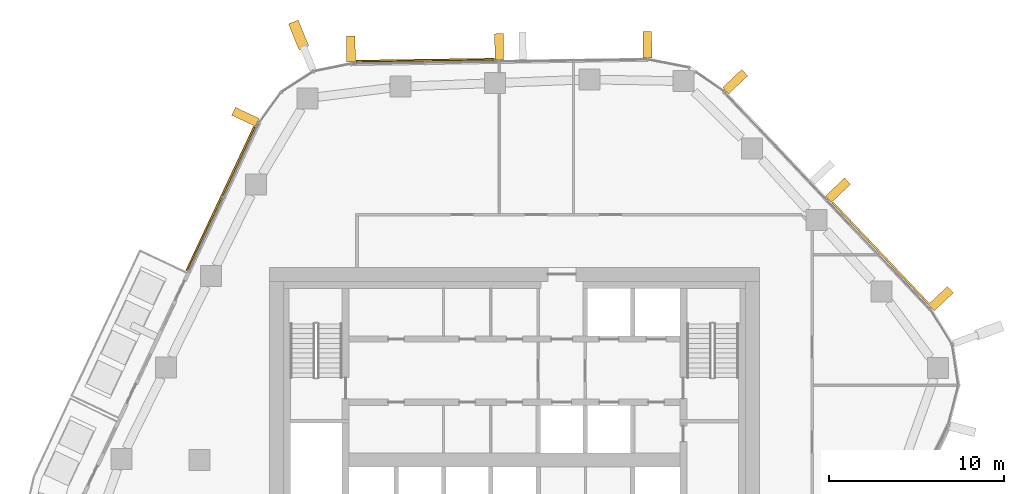
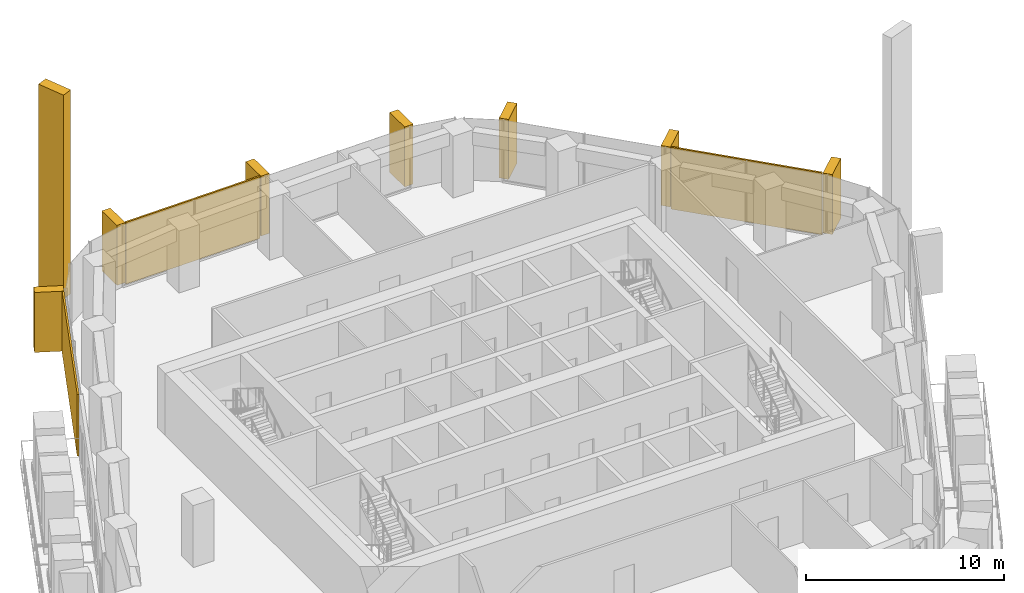
# One storey, part 18 of 18: 11 coverings, 4 elements without a shape of their own.
"""IFC4 building model written with IfcOpenShell, lengths in metres."""

from ifc_helpers import new_model, si_unit, direction, frame, origin, origin_2d, place, context, subcontext, project, spatial, rectangle, extrude, material, layer, layer_set, material_profile, profile_set, type_object, element, aggregate, save


model = new_model("IFC4")

# Units and contexts
model_context = context("Model", 3, precision=1e-05, world=origin(), true_north=direction((0.0, 1.0)))
body_context = subcontext(model_context, "Body", "Model", "MODEL_VIEW")
ifc_project = project(units=[si_unit("LENGTHUNIT", "METRE"), si_unit("AREAUNIT", "SQUARE_METRE"), si_unit("VOLUMEUNIT", "CUBIC_METRE"), si_unit("PLANEANGLEUNIT", "RADIAN"), si_unit("MASSUNIT", "GRAM", prefix="KILO")], contexts=[model_context])

# Site, building, storey
site_placement = place(None, origin())
site = spatial("IfcSite", under=ifc_project, at=site_placement, CompositionType="ELEMENT")
building_placement = place(site_placement, origin())
building = spatial("IfcBuilding", under=site, at=building_placement, Name="Dongbaek Canopy Tower", CompositionType="ELEMENT")
storey_placement = place(building_placement, frame((0.0, 0.0, 158.60009765625)))
storey = spatial("IfcBuildingStorey", under=building, at=storey_placement, Name="L34", CompositionType="ELEMENT", Elevation=158.60009765625)

# Curtain wall, covering
ifc_material_1 = material(Name="Aluminium 6063-T6 pale anodised", Category="aluminium")
ifc_layer_1 = layer(ifc_material_1, 0.199951171875)
ifc_layer_set_1 = layer_set([ifc_layer_1], Name="CW-1 unitised tower curtain wall")
curtain_wall_type = type_object("IfcCurtainWallType", Name="CW-1 unitised tower curtain wall", PredefinedType="NOTDEFINED", material=ifc_layer_set_1)
curtain_wall_1_placement = place(storey_placement, origin())
curtain_wall_1 = element("IfcCurtainWall", 1, at=curtain_wall_1_placement, inside=storey, type_object=curtain_wall_type, Name="CW-1 curtain wall K2.1", PredefinedType="NOTDEFINED")
ifc_material_2 = material(Name="Aluminium 6063-T6 pale metal fin", Category="aluminium")
ifc_material_profile_1 = material_profile(ifc_material_2, rectangle(XDim=1.60009765625, YDim=0.60009765625, at=origin_2d()), Name="Corner fin CN1 600 x 1600 pale metal")
ifc_profile_set_1 = profile_set([ifc_material_profile_1], Name="Aluminium 6063-T6 pale metal fin")
covering_type_1 = type_object("IfcCoveringType", Name="Corner fin CN1 600 x 1600 pale metal", PredefinedType="CLADDING", material=ifc_profile_set_1)
covering_1_placement = place(storey_placement, frame((-12.330810546875, 24.27783203125, -0.190185546875), z_axis=(0.0, 0.0, 1.0), x_axis=(-0.376811193994, 0.926290086356, 0.0)))
covering_1 = element("IfcCovering", 2, at=covering_1_placement, type_object=covering_type_1, Name="Corner fin L34 L36 K2", PredefinedType="CLADDING", context=body_context, shape_type="SweptSolid", body=[
    extrude(rectangle(XDim=1.60009765625, YDim=0.60009765625, at=origin_2d()), origin(), (0.0, 0.0, 1.0), 12.580078125),
])
aggregate(curtain_wall_1, [covering_1])

curtain_wall_2_placement = place(storey_placement, origin())
curtain_wall_2 = element("IfcCurtainWall", 3, at=curtain_wall_2_placement, inside=storey, type_object=curtain_wall_type, Name="CW-1 curtain wall F0.1", PredefinedType="NOTDEFINED")
ifc_material_3 = material(Name="Perforated aluminium 6063-T6 pale metal screen", Category="aluminium")
ifc_layer_2 = layer(ifc_material_3, 0.10009765625)
ifc_layer_set_2 = layer_set([ifc_layer_2], Name="Facet screen FS1 100 pale metal")
covering_type_2 = type_object("IfcCoveringType", Name="Facet screen FS1 100 pale metal", PredefinedType="CLADDING", material=ifc_layer_set_2)
covering_2_placement = place(storey_placement, frame((20.906494140625, 11.82861328125, 0.0), z_axis=(0.0, 0.0, 1.0), x_axis=(-0.688043072048, 0.725669849867, 0.0)))
covering_2 = element("IfcCovering", 4, at=covering_2_placement, type_object=covering_type_2, Name="Facet screen L34 F0", PredefinedType="CLADDING", context=body_context, shape_type="SweptSolid", body=[
    extrude(rectangle(XDim=7.958984375, YDim=0.10009765625, at=origin_2d()), origin(), (0.0, 0.0, 1.0), 3.820068359375),
])

curtain_wall_3_placement = place(storey_placement, origin())
curtain_wall_3 = element("IfcCurtainWall", 5, at=curtain_wall_3_placement, inside=storey, type_object=curtain_wall_type, Name="CW-1 curtain wall F1.1", PredefinedType="NOTDEFINED")
covering_3_placement = place(storey_placement, frame((-5.101806640625, 22.83447265625, 0.0), z_axis=(0.0, 0.0, 1.0), x_axis=(-0.999898063399, -0.014278053439, 0.0)))
covering_3 = element("IfcCovering", 6, at=covering_3_placement, type_object=covering_type_2, Name="Facet screen L34 F1", PredefinedType="CLADDING", context=body_context, shape_type="SweptSolid", body=[
    extrude(rectangle(XDim=7.89111328125, YDim=0.10009765625, at=origin_2d()), origin(), (0.0, 0.0, 1.0), 3.820068359375),
])

curtain_wall_4_placement = place(storey_placement, origin())
curtain_wall_4 = element("IfcCurtainWall", 7, at=curtain_wall_4_placement, inside=storey, type_object=curtain_wall_type, Name="CW-1 curtain wall F2.1", PredefinedType="NOTDEFINED")
covering_4_placement = place(storey_placement, frame((-16.7919921875, 14.927001953125, 0.0), z_axis=(0.0, 0.0, 1.0), x_axis=(-0.426207212847, -0.904625564373, 0.0)))
covering_4 = element("IfcCovering", 8, at=covering_4_placement, type_object=covering_type_2, Name="Facet screen L34 F2", PredefinedType="CLADDING", context=body_context, shape_type="SweptSolid", body=[
    extrude(rectangle(XDim=9.081298828125, YDim=0.10009765625, at=origin_2d()), origin(), (0.0, 0.0, 1.0), 3.820068359375),
])

# Covering
ifc_material_4 = material(Name="Aluminium 6063-T6 pale metal fin", Category="aluminium")
ifc_material_profile_2 = material_profile(ifc_material_4, rectangle(XDim=1.5, YDim=0.5, at=origin_2d()), Name="Fin FN1 500 x 1500 pale metal")
ifc_profile_set_2 = profile_set([ifc_material_profile_2], Name="Aluminium 6063-T6 pale metal fin")
covering_type_3 = type_object("IfcCoveringType", Name="Fin FN1 500 x 1500 pale metal", PredefinedType="CLADDING", material=ifc_profile_set_2)
covering_5_placement = place(storey_placement, frame((24.354736328125, 9.21484375, 0.119873046875), z_axis=(0.0, 0.0, 1.0), x_axis=(0.725670208769, 0.688042693519, 0.0)))
covering_5 = element("IfcCovering", 9, at=covering_5_placement, type_object=covering_type_3, Name="Fin F0.1.1", PredefinedType="CLADDING", context=body_context, shape_type="SweptSolid", body=[
    extrude(rectangle(XDim=1.5, YDim=0.5, at=origin_2d()), origin(), (0.0, 0.0, 1.0), 3.699951171875),
])

covering_6_placement = place(storey_placement, frame((18.479736328125, 15.4111328125, 0.119873046875), z_axis=(0.0, 0.0, 1.0), x_axis=(0.725670208769, 0.688042693519, 0.0)))
covering_6 = element("IfcCovering", 10, at=covering_6_placement, type_object=covering_type_3, Name="Fin F0.1.3", PredefinedType="CLADDING", context=body_context, shape_type="SweptSolid", body=[
    extrude(rectangle(XDim=1.5, YDim=0.5, at=origin_2d()), origin(), (0.0, 0.0, 1.0), 3.699951171875),
])

covering_7_placement = place(storey_placement, frame((12.604736328125, 21.607421875, 0.119873046875), z_axis=(0.0, 0.0, 1.0), x_axis=(0.725670208769, 0.688042693519, 0.0)))
covering_7 = element("IfcCovering", 11, at=covering_7_placement, type_object=covering_type_3, Name="Fin F0.1.5", PredefinedType="CLADDING", context=body_context, shape_type="SweptSolid", body=[
    extrude(rectangle(XDim=1.5, YDim=0.5, at=origin_2d()), origin(), (0.0, 0.0, 1.0), 3.699951171875),
])

aggregate(curtain_wall_2, [covering_5, covering_6, covering_7, covering_2])

covering_8_placement = place(storey_placement, frame((7.592529296875, 23.719970703125, 0.119873046875), z_axis=(0.0, 0.0, 1.0), x_axis=(-0.014277328293, 0.999898073754, 0.0)))
covering_8 = element("IfcCovering", 12, at=covering_8_placement, type_object=covering_type_3, Name="Fin F1.1.1", PredefinedType="CLADDING", context=body_context, shape_type="SweptSolid", body=[
    extrude(rectangle(XDim=1.5, YDim=0.5, at=origin_2d()), origin(), (0.0, 0.0, 1.0), 3.699951171875),
])

covering_9_placement = place(storey_placement, frame((-0.876708984375, 23.598876953125, 0.119873046875), z_axis=(0.0, 0.0, 1.0), x_axis=(-0.014277328293, 0.999898073754, 0.0)))
covering_9 = element("IfcCovering", 13, at=covering_9_placement, type_object=covering_type_3, Name="Fin F1.1.3", PredefinedType="CLADDING", context=body_context, shape_type="SweptSolid", body=[
    extrude(rectangle(XDim=1.5, YDim=0.5, at=origin_2d()), origin(), (0.0, 0.0, 1.0), 3.699951171875),
])

covering_10_placement = place(storey_placement, frame((-9.346923828125, 23.47802734375, 0.119873046875), z_axis=(0.0, 0.0, 1.0), x_axis=(-0.014277328293, 0.999898073754, 0.0)))
covering_10 = element("IfcCovering", 14, at=covering_10_placement, type_object=covering_type_3, Name="Fin F1.1.5", PredefinedType="CLADDING", context=body_context, shape_type="SweptSolid", body=[
    extrude(rectangle(XDim=1.5, YDim=0.5, at=origin_2d()), origin(), (0.0, 0.0, 1.0), 3.699951171875),
])

aggregate(curtain_wall_3, [covering_8, covering_9, covering_10, covering_3])

covering_11_placement = place(storey_placement, frame((-15.3701171875, 19.596923828125, 0.119873046875), z_axis=(0.0, 0.0, 1.0), x_axis=(-0.904625717834, 0.426206887126, 0.0)))
covering_11 = element("IfcCovering", 15, at=covering_11_placement, type_object=covering_type_3, Name="Fin F2.1.1", PredefinedType="CLADDING", context=body_context, shape_type="SweptSolid", body=[
    extrude(rectangle(XDim=1.5, YDim=0.5, at=origin_2d()), origin(), (0.0, 0.0, 1.0), 3.699951171875),
])

aggregate(curtain_wall_4, [covering_11, covering_4])

save(model, "model.ifc")
